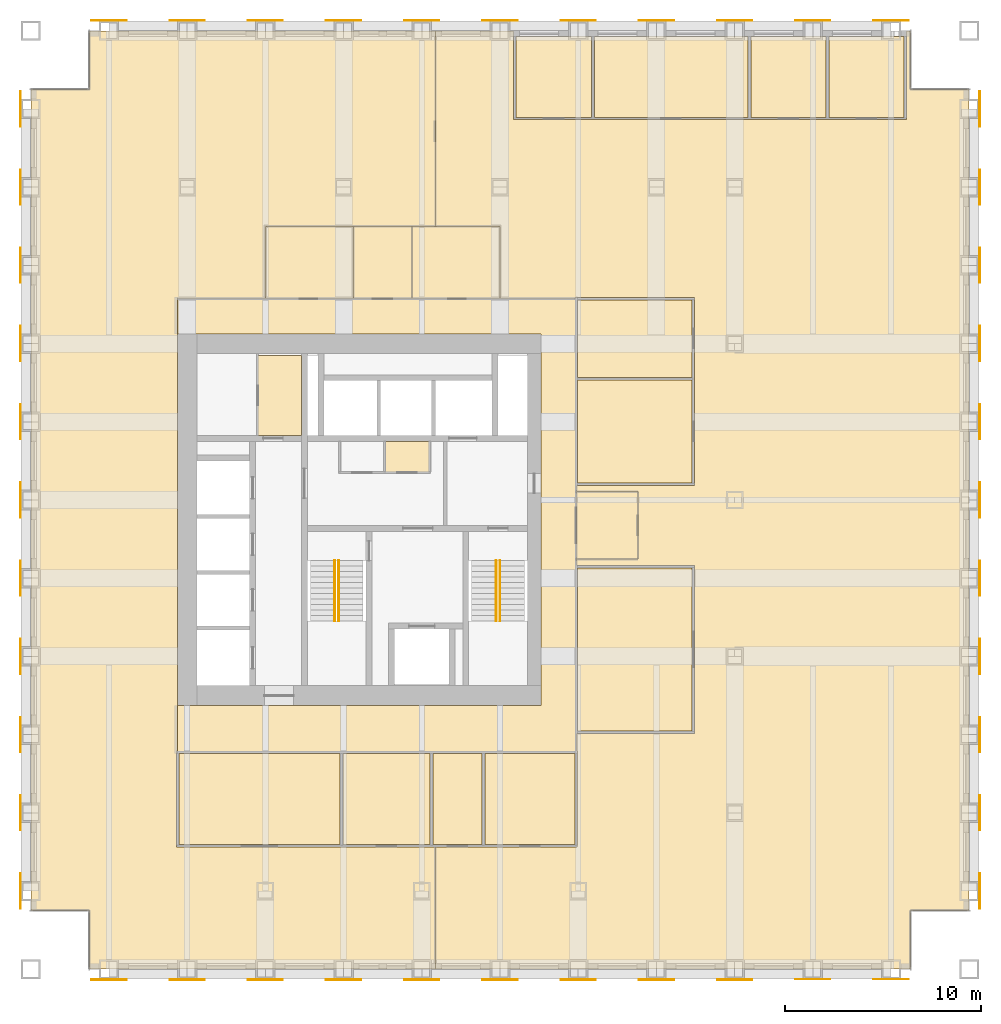
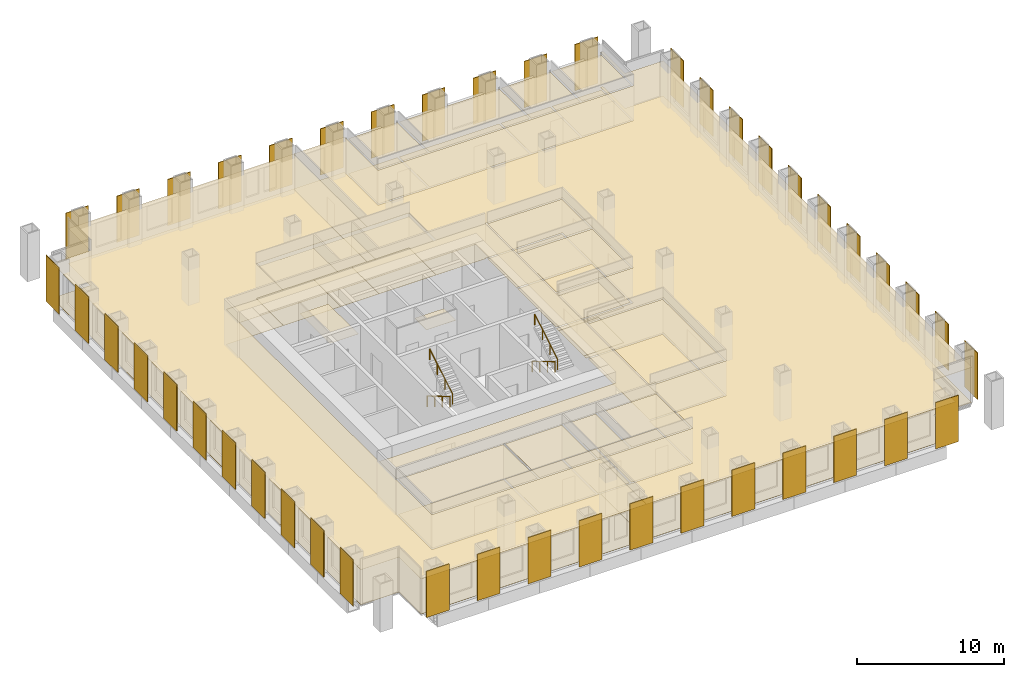
# One storey, part 15 of 15: 44 shading devices, 37 coverings, 4 railings.
"""IFC4 building model written with IfcOpenShell, lengths in metres."""

from ifc_helpers import new_model, si_unit, direction, frame, origin, origin_2d, place, context, subcontext, project, spatial, polyline, rectangle, circle, outline, extrude, material, layer, layer_set, type_object, element, save


model = new_model("IFC4")

# Units and contexts
model_context = context("Model", 3, precision=1e-05, world=origin(), true_north=direction((0.0, 1.0)))
body_context = subcontext(model_context, "Body", "Model", "MODEL_VIEW")
ifc_project = project(units=[si_unit("LENGTHUNIT", "METRE"), si_unit("AREAUNIT", "SQUARE_METRE"), si_unit("VOLUMEUNIT", "CUBIC_METRE"), si_unit("PLANEANGLEUNIT", "RADIAN"), si_unit("MASSUNIT", "GRAM", prefix="KILO")], contexts=[model_context])

# Site, building, storey
site_placement = place(None, origin())
site = spatial("IfcSite", under=ifc_project, at=site_placement, CompositionType="ELEMENT")
building_placement = place(site_placement, origin())
building = spatial("IfcBuilding", under=site, at=building_placement, Name="Rimbunsela Tower", CompositionType="ELEMENT")
storey_placement = place(building_placement, frame((0.0, 0.0, 117.39990234375)))
storey = spatial("IfcBuildingStorey", under=building, at=storey_placement, Name="L28", CompositionType="ELEMENT", Elevation=117.39990234375)

# Coverings
ifc_material_1 = material(Name="Nylon carpet tile", Category="textile")
ifc_layer_1 = layer(ifc_material_1, 0.010009765625)
ifc_layer_set_1 = layer_set([ifc_layer_1], Name="Carpet tile 10")
covering_type_1 = type_object("IfcCoveringType", Name="Carpet tile 10", PredefinedType="FLOORING", material=ifc_layer_set_1)
covering_1_placement = place(storey_placement, origin())
element("IfcCovering", 1, at=covering_1_placement, inside=storey, type_object=covering_type_1, Name="Floor finish Open office", PredefinedType="FLOORING", context=body_context, shape_type="SweptSolid", body=[
    extrude(outline(polyline([(17.5, 4.0), (13.0, 4.0), (13.0, 7.0), (10.0, 7.0), (10.0, 49.0), (13.0, 49.0), (13.0, 52.0), (17.5, 52.0), (30.699951171875, 52.0), (30.699951171875, 42.0), (22.0, 42.0), (22.0, 38.300048828125), (17.5, 38.300048828125), (17.5, 36.5), (17.5, 17.5), (17.5, 15.14990234375), (17.449951171875, 15.14990234375), (17.449951171875, 10.25), (17.5, 10.25), (25.85009765625, 10.25), (25.949951171875, 10.25), (30.449951171875, 10.25), (30.550048828125, 10.25), (30.699951171875, 10.25), (30.699951171875, 4.0), (17.5, 4.0)])), origin(), (0.0, 0.0, 1.0), 0.010009765625),
])
covering_2_placement = place(storey_placement, origin())
element("IfcCovering", 2, at=covering_2_placement, inside=storey, type_object=covering_type_1, Name="Floor finish Open office", PredefinedType="FLOORING", context=body_context, shape_type="SweptSolid", body=[
    extrude(outline(polyline([(30.699951171875, 52.0), (34.699951171875, 52.0), (34.699951171875, 47.449951171875), (37.89990234375, 47.449951171875), (38.699951171875, 47.449951171875), (38.800048828125, 47.449951171875), (46.699951171875, 47.449951171875), (46.800048828125, 47.449951171875), (50.699951171875, 47.449951171875), (50.800048828125, 47.449951171875), (54.800048828125, 47.449951171875), (54.800048828125, 52.0), (55.0, 52.0), (55.0, 49.0), (58.0, 49.0), (58.0, 7.0), (55.0, 7.0), (55.0, 4.0), (37.89990234375, 4.0), (30.699951171875, 4.0), (30.699951171875, 10.25), (33.10009765625, 10.25), (33.199951171875, 10.25), (37.89990234375, 10.25), (37.949951171875, 10.25), (37.949951171875, 15.14990234375), (37.89990234375, 15.14990234375), (37.89990234375, 16.050048828125), (43.949951171875, 16.050048828125), (43.949951171875, 24.64990234375), (37.89990234375, 24.64990234375), (37.89990234375, 24.97509765625), (41.050048828125, 24.97509765625), (41.050048828125, 28.425048828125), (37.89990234375, 28.425048828125), (37.89990234375, 28.75), (43.949951171875, 28.75), (43.949951171875, 34.14990234375), (43.949951171875, 34.25), (43.949951171875, 38.35009765625), (37.89990234375, 38.35009765625), (37.85009765625, 38.35009765625), (37.85009765625, 38.300048828125), (34.0, 38.300048828125), (34.0, 42.0), (30.699951171875, 42.0), (30.699951171875, 52.0)])), origin(), (0.0, 0.0, 1.0), 0.010009765625),
])
covering_3_placement = place(storey_placement, origin())
element("IfcCovering", 3, at=covering_3_placement, inside=storey, type_object=covering_type_1, Name="Floor finish Reception", PredefinedType="FLOORING", context=body_context, shape_type="SweptSolid", body=[
    extrude(outline(polyline([(41.050048828125, 24.97509765625), (41.050048828125, 28.425048828125), (37.89990234375, 28.425048828125), (37.89990234375, 24.97509765625), (41.050048828125, 24.97509765625)])), origin(), (0.0, 0.0, 1.0), 0.010009765625),
])
covering_4_placement = place(storey_placement, origin())
element("IfcCovering", 4, at=covering_4_placement, inside=storey, type_object=covering_type_1, Name="Floor finish Executive office", PredefinedType="FLOORING", context=body_context, shape_type="SweptSolid", body=[
    extrude(outline(polyline([(38.675048828125, 47.574951171875), (38.675048828125, 51.699951171875), (34.824951171875, 51.699951171875), (34.824951171875, 47.574951171875), (38.675048828125, 47.574951171875)])), origin(), (0.0, 0.0, 1.0), 0.010009765625),
])
covering_5_placement = place(storey_placement, origin())
element("IfcCovering", 5, at=covering_5_placement, inside=storey, type_object=covering_type_1, Name="Floor finish Executive office", PredefinedType="FLOORING", context=body_context, shape_type="SweptSolid", body=[
    extrude(outline(polyline([(46.675048828125, 47.574951171875), (46.675048828125, 51.699951171875), (38.824951171875, 51.699951171875), (38.824951171875, 47.574951171875), (46.675048828125, 47.574951171875)])), origin(), (0.0, 0.0, 1.0), 0.010009765625),
])
covering_6_placement = place(storey_placement, origin())
element("IfcCovering", 6, at=covering_6_placement, inside=storey, type_object=covering_type_1, Name="Floor finish Executive office", PredefinedType="FLOORING", context=body_context, shape_type="SweptSolid", body=[
    extrude(outline(polyline([(50.675048828125, 47.574951171875), (50.675048828125, 51.699951171875), (46.824951171875, 51.699951171875), (46.824951171875, 47.574951171875), (50.675048828125, 47.574951171875)])), origin(), (0.0, 0.0, 1.0), 0.010009765625),
])
covering_7_placement = place(storey_placement, origin())
element("IfcCovering", 7, at=covering_7_placement, inside=storey, type_object=covering_type_1, Name="Floor finish Executive office", PredefinedType="FLOORING", context=body_context, shape_type="SweptSolid", body=[
    extrude(outline(polyline([(54.675048828125, 47.574951171875), (54.675048828125, 51.699951171875), (50.824951171875, 51.699951171875), (50.824951171875, 47.574951171875), (54.675048828125, 47.574951171875)])), origin(), (0.0, 0.0, 1.0), 0.010009765625),
])
covering_8_placement = place(storey_placement, origin())
element("IfcCovering", 8, at=covering_8_placement, inside=storey, type_object=covering_type_1, Name="Floor finish Training room", PredefinedType="FLOORING", context=body_context, shape_type="SweptSolid", body=[
    extrude(outline(polyline([(25.824951171875, 10.375), (25.824951171875, 15.02490234375), (17.574951171875, 15.02490234375), (17.574951171875, 10.375), (25.824951171875, 10.375)])), origin(), (0.0, 0.0, 1.0), 0.010009765625),
])
covering_9_placement = place(storey_placement, origin())
element("IfcCovering", 9, at=covering_9_placement, inside=storey, type_object=covering_type_1, Name="Floor finish Pantry", PredefinedType="FLOORING", context=body_context, shape_type="SweptSolid", body=[
    extrude(outline(polyline([(30.425048828125, 10.375), (30.425048828125, 15.02490234375), (25.97509765625, 15.02490234375), (25.97509765625, 10.375), (30.425048828125, 10.375)])), origin(), (0.0, 0.0, 1.0), 0.010009765625),
])
covering_10_placement = place(storey_placement, origin())
element("IfcCovering", 10, at=covering_10_placement, inside=storey, type_object=covering_type_1, Name="Floor finish Print and copy room", PredefinedType="FLOORING", context=body_context, shape_type="SweptSolid", body=[
    extrude(outline(polyline([(33.074951171875, 10.375), (33.074951171875, 15.02490234375), (30.574951171875, 15.02490234375), (30.574951171875, 10.375), (33.074951171875, 10.375)])), origin(), (0.0, 0.0, 1.0), 0.010009765625),
])
covering_11_placement = place(storey_placement, origin())
element("IfcCovering", 11, at=covering_11_placement, inside=storey, type_object=covering_type_1, Name="Floor finish Office", PredefinedType="FLOORING", context=body_context, shape_type="SweptSolid", body=[
    extrude(outline(polyline([(37.824951171875, 10.375), (37.824951171875, 15.02490234375), (33.22509765625, 15.02490234375), (33.22509765625, 10.375), (37.824951171875, 10.375)])), origin(), (0.0, 0.0, 1.0), 0.010009765625),
])
covering_12_placement = place(storey_placement, origin())
element("IfcCovering", 12, at=covering_12_placement, inside=storey, type_object=covering_type_1, Name="Floor finish Boardroom", PredefinedType="FLOORING", context=body_context, shape_type="SweptSolid", body=[
    extrude(outline(polyline([(43.824951171875, 16.175048828125), (43.824951171875, 24.52490234375), (37.97509765625, 24.52490234375), (37.97509765625, 16.175048828125), (43.824951171875, 16.175048828125)])), origin(), (0.0, 0.0, 1.0), 0.010009765625),
])
covering_13_placement = place(storey_placement, origin())
element("IfcCovering", 13, at=covering_13_placement, inside=storey, type_object=covering_type_1, Name="Floor finish Meeting room", PredefinedType="FLOORING", context=body_context, shape_type="SweptSolid", body=[
    extrude(outline(polyline([(43.824951171875, 28.875), (43.824951171875, 34.125), (37.97509765625, 34.125), (37.97509765625, 28.875), (43.824951171875, 28.875)])), origin(), (0.0, 0.0, 1.0), 0.010009765625),
])
covering_14_placement = place(storey_placement, origin())
element("IfcCovering", 14, at=covering_14_placement, inside=storey, type_object=covering_type_1, Name="Floor finish Office", PredefinedType="FLOORING", context=body_context, shape_type="SweptSolid", body=[
    extrude(outline(polyline([(43.824951171875, 34.27490234375), (43.824951171875, 38.22509765625), (37.97509765625, 38.22509765625), (37.97509765625, 34.27490234375), (43.824951171875, 34.27490234375)])), origin(), (0.0, 0.0, 1.0), 0.010009765625),
])
ifc_material_2 = material(Name="Mineral fibre ceiling tile", Category="gypsum")
ifc_layer_2 = layer(ifc_material_2, 0.02001953125)
ifc_layer_set_2 = layer_set([ifc_layer_2], Name="Ceiling 600 grid")
covering_type_2 = type_object("IfcCoveringType", Name="Ceiling 600 grid", PredefinedType="CEILING", material=ifc_layer_set_2)
covering_15_placement = place(storey_placement, frame((0.0, 0.0, 2.900146484375)))
element("IfcCovering", 15, at=covering_15_placement, inside=storey, type_object=covering_type_2, Name="Ceiling IT room", PredefinedType="CEILING", context=body_context, shape_type="SweptSolid", body=[
    extrude(outline(polyline([(30.39990234375, 29.39990234375), (30.39990234375, 31.0), (28.10009765625, 31.0), (28.10009765625, 29.39990234375), (30.39990234375, 29.39990234375)])), origin(), (0.0, 0.0, 1.0), 0.02001953125),
])
covering_16_placement = place(storey_placement, frame((0.0, 0.0, 2.900146484375)))
element("IfcCovering", 16, at=covering_16_placement, inside=storey, type_object=covering_type_2, Name="Ceiling Staff pantry", PredefinedType="CEILING", context=body_context, shape_type="SweptSolid", body=[
    extrude(outline(polyline([(23.85009765625, 31.300048828125), (23.85009765625, 35.39990234375), (21.60009765625, 35.39990234375), (21.60009765625, 31.300048828125), (23.85009765625, 31.300048828125)])), origin(), (0.0, 0.0, 1.0), 0.02001953125),
])
covering_17_placement = place(storey_placement, frame((0.0, 0.0, 2.900146484375)))
element("IfcCovering", 17, at=covering_17_placement, inside=storey, type_object=covering_type_2, Name="Ceiling U-shaped corridor", PredefinedType="CEILING", context=body_context, shape_type="SweptSolid", body=[
    extrude(outline(polyline([(37.89990234375, 38.300048828125), (37.89990234375, 15.10009765625), (17.5, 15.10009765625), (17.5, 17.5), (36.10009765625, 17.5), (36.10009765625, 36.5), (17.5, 36.5), (17.5, 38.300048828125), (37.89990234375, 38.300048828125)])), origin(), (0.0, 0.0, 1.0), 0.02001953125),
])
covering_18_placement = place(storey_placement, frame((0.0, 0.0, 2.900146484375)))
element("IfcCovering", 18, at=covering_18_placement, inside=storey, type_object=covering_type_2, Name="Ceiling Open office", PredefinedType="CEILING", context=body_context, shape_type="SweptSolid", body=[
    extrude(outline(polyline([(17.5, 4.0), (13.0, 4.0), (13.0, 7.0), (10.0, 7.0), (10.0, 49.0), (13.0, 49.0), (13.0, 52.0), (17.5, 52.0), (30.699951171875, 52.0), (30.699951171875, 42.0), (22.0, 42.0), (22.0, 38.300048828125), (17.5, 38.300048828125), (17.5, 36.5), (17.5, 17.5), (17.5, 15.14990234375), (17.449951171875, 15.14990234375), (17.449951171875, 10.25), (17.5, 10.25), (25.85009765625, 10.25), (25.949951171875, 10.25), (30.449951171875, 10.25), (30.550048828125, 10.25), (30.699951171875, 10.25), (30.699951171875, 4.0), (17.5, 4.0)])), origin(), (0.0, 0.0, 1.0), 0.02001953125),
])
covering_19_placement = place(storey_placement, frame((0.0, 0.0, 2.900146484375)))
element("IfcCovering", 19, at=covering_19_placement, inside=storey, type_object=covering_type_2, Name="Ceiling Open office", PredefinedType="CEILING", context=body_context, shape_type="SweptSolid", body=[
    extrude(outline(polyline([(30.699951171875, 52.0), (34.699951171875, 52.0), (34.699951171875, 47.449951171875), (37.89990234375, 47.449951171875), (38.699951171875, 47.449951171875), (38.800048828125, 47.449951171875), (46.699951171875, 47.449951171875), (46.800048828125, 47.449951171875), (50.699951171875, 47.449951171875), (50.800048828125, 47.449951171875), (54.800048828125, 47.449951171875), (54.800048828125, 52.0), (55.0, 52.0), (55.0, 49.0), (58.0, 49.0), (58.0, 7.0), (55.0, 7.0), (55.0, 4.0), (37.89990234375, 4.0), (30.699951171875, 4.0), (30.699951171875, 10.25), (33.10009765625, 10.25), (33.199951171875, 10.25), (37.89990234375, 10.25), (37.949951171875, 10.25), (37.949951171875, 15.14990234375), (37.89990234375, 15.14990234375), (37.89990234375, 16.050048828125), (43.949951171875, 16.050048828125), (43.949951171875, 24.64990234375), (37.89990234375, 24.64990234375), (37.89990234375, 24.97509765625), (41.050048828125, 24.97509765625), (41.050048828125, 28.425048828125), (37.89990234375, 28.425048828125), (37.89990234375, 28.75), (43.949951171875, 28.75), (43.949951171875, 34.14990234375), (43.949951171875, 34.25), (43.949951171875, 38.35009765625), (37.89990234375, 38.35009765625), (37.85009765625, 38.35009765625), (37.85009765625, 38.300048828125), (34.0, 38.300048828125), (34.0, 42.0), (30.699951171875, 42.0), (30.699951171875, 52.0)])), origin(), (0.0, 0.0, 1.0), 0.02001953125),
])
covering_20_placement = place(storey_placement, frame((0.0, 0.0, 2.900146484375)))
element("IfcCovering", 20, at=covering_20_placement, inside=storey, type_object=covering_type_2, Name="Ceiling Reception", PredefinedType="CEILING", context=body_context, shape_type="SweptSolid", body=[
    extrude(outline(polyline([(41.050048828125, 24.97509765625), (41.050048828125, 28.425048828125), (37.89990234375, 28.425048828125), (37.89990234375, 24.97509765625), (41.050048828125, 24.97509765625)])), origin(), (0.0, 0.0, 1.0), 0.02001953125),
])
covering_21_placement = place(storey_placement, frame((0.0, 0.0, 2.900146484375)))
element("IfcCovering", 21, at=covering_21_placement, inside=storey, type_object=covering_type_2, Name="Ceiling Executive office", PredefinedType="CEILING", context=body_context, shape_type="SweptSolid", body=[
    extrude(outline(polyline([(38.675048828125, 47.574951171875), (38.675048828125, 51.699951171875), (34.824951171875, 51.699951171875), (34.824951171875, 47.574951171875), (38.675048828125, 47.574951171875)])), origin(), (0.0, 0.0, 1.0), 0.02001953125),
])
covering_22_placement = place(storey_placement, frame((0.0, 0.0, 2.900146484375)))
element("IfcCovering", 22, at=covering_22_placement, inside=storey, type_object=covering_type_2, Name="Ceiling Executive office", PredefinedType="CEILING", context=body_context, shape_type="SweptSolid", body=[
    extrude(outline(polyline([(46.675048828125, 47.574951171875), (46.675048828125, 51.699951171875), (38.824951171875, 51.699951171875), (38.824951171875, 47.574951171875), (46.675048828125, 47.574951171875)])), origin(), (0.0, 0.0, 1.0), 0.02001953125),
])
covering_23_placement = place(storey_placement, frame((0.0, 0.0, 2.900146484375)))
element("IfcCovering", 23, at=covering_23_placement, inside=storey, type_object=covering_type_2, Name="Ceiling Executive office", PredefinedType="CEILING", context=body_context, shape_type="SweptSolid", body=[
    extrude(outline(polyline([(50.675048828125, 47.574951171875), (50.675048828125, 51.699951171875), (46.824951171875, 51.699951171875), (46.824951171875, 47.574951171875), (50.675048828125, 47.574951171875)])), origin(), (0.0, 0.0, 1.0), 0.02001953125),
])
covering_24_placement = place(storey_placement, frame((0.0, 0.0, 2.900146484375)))
element("IfcCovering", 24, at=covering_24_placement, inside=storey, type_object=covering_type_2, Name="Ceiling Executive office", PredefinedType="CEILING", context=body_context, shape_type="SweptSolid", body=[
    extrude(outline(polyline([(54.675048828125, 47.574951171875), (54.675048828125, 51.699951171875), (50.824951171875, 51.699951171875), (50.824951171875, 47.574951171875), (54.675048828125, 47.574951171875)])), origin(), (0.0, 0.0, 1.0), 0.02001953125),
])
covering_25_placement = place(storey_placement, frame((0.0, 0.0, 2.900146484375)))
element("IfcCovering", 25, at=covering_25_placement, inside=storey, type_object=covering_type_2, Name="Ceiling Training room", PredefinedType="CEILING", context=body_context, shape_type="SweptSolid", body=[
    extrude(outline(polyline([(25.824951171875, 10.375), (25.824951171875, 15.02490234375), (17.574951171875, 15.02490234375), (17.574951171875, 10.375), (25.824951171875, 10.375)])), origin(), (0.0, 0.0, 1.0), 0.02001953125),
])
covering_26_placement = place(storey_placement, frame((0.0, 0.0, 2.900146484375)))
element("IfcCovering", 26, at=covering_26_placement, inside=storey, type_object=covering_type_2, Name="Ceiling Pantry", PredefinedType="CEILING", context=body_context, shape_type="SweptSolid", body=[
    extrude(outline(polyline([(30.425048828125, 10.375), (30.425048828125, 15.02490234375), (25.97509765625, 15.02490234375), (25.97509765625, 10.375), (30.425048828125, 10.375)])), origin(), (0.0, 0.0, 1.0), 0.02001953125),
])
covering_27_placement = place(storey_placement, frame((0.0, 0.0, 2.900146484375)))
element("IfcCovering", 27, at=covering_27_placement, inside=storey, type_object=covering_type_2, Name="Ceiling Print and copy room", PredefinedType="CEILING", context=body_context, shape_type="SweptSolid", body=[
    extrude(outline(polyline([(33.074951171875, 10.375), (33.074951171875, 15.02490234375), (30.574951171875, 15.02490234375), (30.574951171875, 10.375), (33.074951171875, 10.375)])), origin(), (0.0, 0.0, 1.0), 0.02001953125),
])
covering_28_placement = place(storey_placement, frame((0.0, 0.0, 2.900146484375)))
element("IfcCovering", 28, at=covering_28_placement, inside=storey, type_object=covering_type_2, Name="Ceiling Office", PredefinedType="CEILING", context=body_context, shape_type="SweptSolid", body=[
    extrude(outline(polyline([(37.824951171875, 10.375), (37.824951171875, 15.02490234375), (33.22509765625, 15.02490234375), (33.22509765625, 10.375), (37.824951171875, 10.375)])), origin(), (0.0, 0.0, 1.0), 0.02001953125),
])
covering_29_placement = place(storey_placement, frame((0.0, 0.0, 2.900146484375)))
element("IfcCovering", 29, at=covering_29_placement, inside=storey, type_object=covering_type_2, Name="Ceiling Boardroom", PredefinedType="CEILING", context=body_context, shape_type="SweptSolid", body=[
    extrude(outline(polyline([(43.824951171875, 16.175048828125), (43.824951171875, 24.52490234375), (37.97509765625, 24.52490234375), (37.97509765625, 16.175048828125), (43.824951171875, 16.175048828125)])), origin(), (0.0, 0.0, 1.0), 0.02001953125),
])
covering_30_placement = place(storey_placement, frame((0.0, 0.0, 2.900146484375)))
element("IfcCovering", 30, at=covering_30_placement, inside=storey, type_object=covering_type_2, Name="Ceiling Meeting room", PredefinedType="CEILING", context=body_context, shape_type="SweptSolid", body=[
    extrude(outline(polyline([(43.824951171875, 28.875), (43.824951171875, 34.125), (37.97509765625, 34.125), (37.97509765625, 28.875), (43.824951171875, 28.875)])), origin(), (0.0, 0.0, 1.0), 0.02001953125),
])
covering_31_placement = place(storey_placement, frame((0.0, 0.0, 2.900146484375)))
element("IfcCovering", 31, at=covering_31_placement, inside=storey, type_object=covering_type_2, Name="Ceiling Office", PredefinedType="CEILING", context=body_context, shape_type="SweptSolid", body=[
    extrude(outline(polyline([(43.824951171875, 34.27490234375), (43.824951171875, 38.22509765625), (37.97509765625, 38.22509765625), (37.97509765625, 34.27490234375), (43.824951171875, 34.27490234375)])), origin(), (0.0, 0.0, 1.0), 0.02001953125),
])
ifc_material_3 = material(Name="Moisture-resistant plasterboard ceiling", Category="gypsum")
ifc_layer_3 = layer(ifc_material_3, 0.012451171875)
ifc_layer_set_3 = layer_set([ifc_layer_3], Name="Ceiling moisture-resistant board")
covering_type_3 = type_object("IfcCoveringType", Name="Ceiling moisture-resistant board", PredefinedType="CEILING", material=ifc_layer_set_3)
covering_32_placement = place(storey_placement, frame((0.0, 0.0, 2.60009765625)))
element("IfcCovering", 32, at=covering_32_placement, inside=storey, type_object=covering_type_3, Name="Ceiling Female WC", PredefinedType="CEILING", context=body_context, shape_type="SweptSolid", body=[
    extrude(outline(polyline([(26.5, 38.300048828125), (26.5, 42.0), (22.0, 42.0), (22.0, 38.300048828125), (26.5, 38.300048828125)])), origin(), (0.0, 0.0, 1.0), 0.02001953125),
])
covering_33_placement = place(storey_placement, frame((0.0, 0.0, 2.60009765625)))
element("IfcCovering", 33, at=covering_33_placement, inside=storey, type_object=covering_type_3, Name="Ceiling Accessible WC", PredefinedType="CEILING", context=body_context, shape_type="SweptSolid", body=[
    extrude(outline(polyline([(29.5, 38.300048828125), (29.5, 42.0), (26.5, 42.0), (26.5, 38.300048828125), (29.5, 38.300048828125)])), origin(), (0.0, 0.0, 1.0), 0.02001953125),
])
covering_34_placement = place(storey_placement, frame((0.0, 0.0, 2.60009765625)))
element("IfcCovering", 34, at=covering_34_placement, inside=storey, type_object=covering_type_3, Name="Ceiling Male WC", PredefinedType="CEILING", context=body_context, shape_type="SweptSolid", body=[
    extrude(outline(polyline([(34.0, 38.300048828125), (34.0, 42.0), (29.5, 42.0), (29.5, 38.300048828125), (34.0, 38.300048828125)])), origin(), (0.0, 0.0, 1.0), 0.02001953125),
])
ifc_material_4 = material(Name="Porcelain floor tile in adhesive bed", Category="ceramic")
ifc_layer_4 = layer(ifc_material_4, 0.02001953125)
ifc_layer_set_4 = layer_set([ifc_layer_4], Name="Porcelain tile 20")
covering_type_4 = type_object("IfcCoveringType", Name="Porcelain tile 20", PredefinedType="FLOORING", material=ifc_layer_set_4)
covering_35_placement = place(storey_placement, origin())
element("IfcCovering", 35, at=covering_35_placement, inside=storey, type_object=covering_type_4, Name="Floor finish Female WC", PredefinedType="FLOORING", context=body_context, shape_type="SweptSolid", body=[
    extrude(outline(polyline([(26.5, 38.300048828125), (26.5, 42.0), (22.0, 42.0), (22.0, 38.300048828125), (26.5, 38.300048828125)])), origin(), (0.0, 0.0, 1.0), 0.02001953125),
])
covering_36_placement = place(storey_placement, origin())
element("IfcCovering", 36, at=covering_36_placement, inside=storey, type_object=covering_type_4, Name="Floor finish Accessible WC", PredefinedType="FLOORING", context=body_context, shape_type="SweptSolid", body=[
    extrude(outline(polyline([(29.5, 38.300048828125), (29.5, 42.0), (26.5, 42.0), (26.5, 38.300048828125), (29.5, 38.300048828125)])), origin(), (0.0, 0.0, 1.0), 0.02001953125),
])
covering_37_placement = place(storey_placement, origin())
element("IfcCovering", 37, at=covering_37_placement, inside=storey, type_object=covering_type_4, Name="Floor finish Male WC", PredefinedType="FLOORING", context=body_context, shape_type="SweptSolid", body=[
    extrude(outline(polyline([(34.0, 38.300048828125), (34.0, 42.0), (29.5, 42.0), (29.5, 38.300048828125), (34.0, 38.300048828125)])), origin(), (0.0, 0.0, 1.0), 0.02001953125),
])

# Shading devices
ifc_material_5 = material(Name="Perforated aluminium, 35 % open area", Category="aluminium")
ifc_layer_5 = layer(ifc_material_5, 0.050048828125)
ifc_layer_set_5 = layer_set([ifc_layer_5], Name="Solar screen panel 1800")
shading_device_type = type_object("IfcShadingDeviceType", Name="Solar screen panel 1800", PredefinedType="USERDEFINED", material=ifc_layer_set_5)
for number, where, z_axis, x_axis, name in (
    (38, (14.0, 3.47509765625, 0.0), (0.0, 0.0, 1.0), (1.0, 0.0, 0.0), "Solar screen S L28"),
    (39, (18.0, 3.47509765625, 0.0), (0.0, 0.0, 1.0), (1.0, 0.0, 0.0), "Solar screen S L28"),
    (40, (22.0, 3.47509765625, 0.0), (0.0, 0.0, 1.0), (1.0, 0.0, 0.0), "Solar screen S L28"),
    (41, (26.0, 3.47509765625, 0.0), (0.0, 0.0, 1.0), (1.0, 0.0, 0.0), "Solar screen S L28"),
    (42, (30.0, 3.47509765625, 0.0), (0.0, 0.0, 1.0), (1.0, 0.0, 0.0), "Solar screen S L28"),
    (43, (34.0, 3.47509765625, 0.0), (0.0, 0.0, 1.0), (1.0, 0.0, 0.0), "Solar screen S L28"),
    (44, (38.0, 3.47509765625, 0.0), (0.0, 0.0, 1.0), (1.0, 0.0, 0.0), "Solar screen S L28"),
    (45, (42.0, 3.47509765625, 0.0), (0.0, 0.0, 1.0), (1.0, 0.0, 0.0), "Solar screen S L28"),
    (46, (46.0, 3.47509765625, 0.0), (0.0, 0.0, 1.0), (1.0, 0.0, 0.0), "Solar screen S L28"),
    (47, (50.0, 3.47509765625, 0.0), (0.0, 0.0, 1.0), (1.0, 0.0, 0.0), "Solar screen S L28"),
    (48, (54.0, 3.47509765625, 0.0), (0.0, 0.0, 1.0), (1.0, 0.0, 0.0), "Solar screen S L28"),
    (49, (58.52490234375, 8.0, 0.0), (0.0, 0.0, 1.0), (0.0, 1.0, 0.0), "Solar screen E L28"),
    (50, (58.52490234375, 12.0, 0.0), (0.0, 0.0, 1.0), (0.0, 1.0, 0.0), "Solar screen E L28"),
    (51, (58.52490234375, 16.0, 0.0), (0.0, 0.0, 1.0), (0.0, 1.0, 0.0), "Solar screen E L28"),
    (52, (58.52490234375, 20.0, 0.0), (0.0, 0.0, 1.0), (0.0, 1.0, 0.0), "Solar screen E L28"),
    (53, (58.52490234375, 24.0, 0.0), (0.0, 0.0, 1.0), (0.0, 1.0, 0.0), "Solar screen E L28"),
    (54, (58.52490234375, 28.0, 0.0), (0.0, 0.0, 1.0), (0.0, 1.0, 0.0), "Solar screen E L28"),
    (55, (58.52490234375, 32.0, 0.0), (0.0, 0.0, 1.0), (0.0, 1.0, 0.0), "Solar screen E L28"),
    (56, (58.52490234375, 36.0, 0.0), (0.0, 0.0, 1.0), (0.0, 1.0, 0.0), "Solar screen E L28"),
    (57, (58.52490234375, 40.0, 0.0), (0.0, 0.0, 1.0), (0.0, 1.0, 0.0), "Solar screen E L28"),
    (58, (58.52490234375, 44.0, 0.0), (0.0, 0.0, 1.0), (0.0, 1.0, 0.0), "Solar screen E L28"),
    (59, (58.52490234375, 48.0, 0.0), (0.0, 0.0, 1.0), (0.0, 1.0, 0.0), "Solar screen E L28"),
    (60, (14.0, 52.52490234375, 0.0), (0.0, 0.0, 1.0), (1.0, 0.0, 0.0), "Solar screen N L28"),
    (61, (18.0, 52.52490234375, 0.0), (0.0, 0.0, 1.0), (1.0, 0.0, 0.0), "Solar screen N L28"),
    (62, (22.0, 52.52490234375, 0.0), (0.0, 0.0, 1.0), (1.0, 0.0, 0.0), "Solar screen N L28"),
    (63, (26.0, 52.52490234375, 0.0), (0.0, 0.0, 1.0), (1.0, 0.0, 0.0), "Solar screen N L28"),
    (64, (30.0, 52.52490234375, 0.0), (0.0, 0.0, 1.0), (1.0, 0.0, 0.0), "Solar screen N L28"),
    (65, (34.0, 52.52490234375, 0.0), (0.0, 0.0, 1.0), (1.0, 0.0, 0.0), "Solar screen N L28"),
    (66, (38.0, 52.52490234375, 0.0), (0.0, 0.0, 1.0), (1.0, 0.0, 0.0), "Solar screen N L28"),
    (67, (42.0, 52.52490234375, 0.0), (0.0, 0.0, 1.0), (1.0, 0.0, 0.0), "Solar screen N L28"),
    (68, (46.0, 52.52490234375, 0.0), (0.0, 0.0, 1.0), (1.0, 0.0, 0.0), "Solar screen N L28"),
    (69, (50.0, 52.52490234375, 0.0), (0.0, 0.0, 1.0), (1.0, 0.0, 0.0), "Solar screen N L28"),
    (70, (54.0, 52.52490234375, 0.0), (0.0, 0.0, 1.0), (1.0, 0.0, 0.0), "Solar screen N L28"),
    (71, (9.47509765625, 8.0, 0.0), (0.0, 0.0, 1.0), (0.0, 1.0, 0.0), "Solar screen W L28"),
    (72, (9.47509765625, 12.0, 0.0), (0.0, 0.0, 1.0), (0.0, 1.0, 0.0), "Solar screen W L28"),
    (73, (9.47509765625, 16.0, 0.0), (0.0, 0.0, 1.0), (0.0, 1.0, 0.0), "Solar screen W L28"),
    (74, (9.47509765625, 20.0, 0.0), (0.0, 0.0, 1.0), (0.0, 1.0, 0.0), "Solar screen W L28"),
    (75, (9.47509765625, 24.0, 0.0), (0.0, 0.0, 1.0), (0.0, 1.0, 0.0), "Solar screen W L28"),
    (76, (9.47509765625, 28.0, 0.0), (0.0, 0.0, 1.0), (0.0, 1.0, 0.0), "Solar screen W L28"),
    (77, (9.47509765625, 32.0, 0.0), (0.0, 0.0, 1.0), (0.0, 1.0, 0.0), "Solar screen W L28"),
    (78, (9.47509765625, 36.0, 0.0), (0.0, 0.0, 1.0), (0.0, 1.0, 0.0), "Solar screen W L28"),
    (79, (9.47509765625, 40.0, 0.0), (0.0, 0.0, 1.0), (0.0, 1.0, 0.0), "Solar screen W L28"),
    (80, (9.47509765625, 44.0, 0.0), (0.0, 0.0, 1.0), (0.0, 1.0, 0.0), "Solar screen W L28"),
    (81, (9.47509765625, 48.0, 0.0), (0.0, 0.0, 1.0), (0.0, 1.0, 0.0), "Solar screen W L28"),
):
    element("IfcShadingDevice", number, at=place(storey_placement, frame(where, z_axis=z_axis, x_axis=x_axis)), inside=storey, type_object=shading_device_type, Name=name, ObjectType="SCREEN", PredefinedType="USERDEFINED", context=body_context, shape_type="SweptSolid", body=[
        extrude(rectangle(XDim=1.800048828125, YDim=0.050048828125, at=origin_2d()), origin(), (0.0, 0.0, 1.0), 3.85009765625),
    ])

# Railings
ifc_material_6 = material(Name="Stainless steel tube", Category="steel")
railing_type = type_object("IfcRailingType", Name="Stair handrail 900", PredefinedType="HANDRAIL", material=ifc_material_6)
railing_1_placement = place(storey_placement, frame((25.550048828125, 24.89990234375, 0.166748046875)))
element("IfcRailing", 82, at=railing_1_placement, inside=storey, type_object=railing_type, Name="Handrail ST-A flight 1", PredefinedType="HANDRAIL", context=body_context, shape_type="SweptSolid", body=[
    extrude(circle(Radius=0.02392578125, at=origin_2d()), frame((0.0, 0.0, 0.8759765625), z_axis=(0.0, -0.859290745958, 0.51148745235), x_axis=(1.0, 0.0, 0.0)), (0.0, 0.0, 1.0), 3.584228515625),
    extrude(circle(Radius=0.02099609375, at=origin_2d()), origin(), (0.0, 0.0, 1.0), 0.851806640625),
    extrude(circle(Radius=0.02099609375, at=origin_2d()), frame((0.0, -1.026611328125, 0.611083984375)), (0.0, 0.0, 1.0), 0.851806640625),
    extrude(circle(Radius=0.02099609375, at=origin_2d()), frame((0.0, -2.05322265625, 1.22216796875)), (0.0, 0.0, 1.0), 0.851806640625),
    extrude(circle(Radius=0.02099609375, at=origin_2d()), frame((0.0, -3.079833984375, 1.833251953125)), (0.0, 0.0, 1.0), 0.851806640625),
])
railing_2_placement = place(storey_placement, frame((25.75, 21.820068359375, 2.166748046875)))
element("IfcRailing", 83, at=railing_2_placement, inside=storey, type_object=railing_type, Name="Handrail ST-A flight 2", PredefinedType="HANDRAIL", context=body_context, shape_type="SweptSolid", body=[
    extrude(circle(Radius=0.02392578125, at=origin_2d()), frame((0.0, 0.0, 0.8759765625), z_axis=(0.0, 0.859290745958, 0.51148745235), x_axis=(-1.0, 0.0, 0.0)), (0.0, 0.0, 1.0), 3.584228515625),
    extrude(circle(Radius=0.02099609375, at=origin_2d()), origin(), (0.0, 0.0, 1.0), 0.851806640625),
    extrude(circle(Radius=0.02099609375, at=origin_2d()), frame((0.0, 1.026611328125, 0.611083984375)), (0.0, 0.0, 1.0), 0.851806640625),
    extrude(circle(Radius=0.02099609375, at=origin_2d()), frame((0.0, 2.05322265625, 1.22216796875)), (0.0, 0.0, 1.0), 0.851806640625),
    extrude(circle(Radius=0.02099609375, at=origin_2d()), frame((0.0, 3.079833984375, 1.833251953125)), (0.0, 0.0, 1.0), 0.851806640625),
])
railing_3_placement = place(storey_placement, frame((33.800048828125, 24.89990234375, 0.166748046875)))
element("IfcRailing", 84, at=railing_3_placement, inside=storey, type_object=railing_type, Name="Handrail ST-B flight 1", PredefinedType="HANDRAIL", context=body_context, shape_type="SweptSolid", body=[
    extrude(circle(Radius=0.02392578125, at=origin_2d()), frame((0.0, 0.0, 0.8759765625), z_axis=(0.0, -0.859290745958, 0.51148745235), x_axis=(1.0, 0.0, 0.0)), (0.0, 0.0, 1.0), 3.584228515625),
    extrude(circle(Radius=0.02099609375, at=origin_2d()), origin(), (0.0, 0.0, 1.0), 0.851806640625),
    extrude(circle(Radius=0.02099609375, at=origin_2d()), frame((0.0, -1.026611328125, 0.611083984375)), (0.0, 0.0, 1.0), 0.851806640625),
    extrude(circle(Radius=0.02099609375, at=origin_2d()), frame((0.0, -2.05322265625, 1.22216796875)), (0.0, 0.0, 1.0), 0.851806640625),
    extrude(circle(Radius=0.02099609375, at=origin_2d()), frame((0.0, -3.079833984375, 1.833251953125)), (0.0, 0.0, 1.0), 0.851806640625),
])
railing_4_placement = place(storey_placement, frame((34.0, 21.820068359375, 2.166748046875)))
element("IfcRailing", 85, at=railing_4_placement, inside=storey, type_object=railing_type, Name="Handrail ST-B flight 2", PredefinedType="HANDRAIL", context=body_context, shape_type="SweptSolid", body=[
    extrude(circle(Radius=0.02392578125, at=origin_2d()), frame((0.0, 0.0, 0.8759765625), z_axis=(0.0, 0.859290745958, 0.51148745235), x_axis=(-1.0, 0.0, 0.0)), (0.0, 0.0, 1.0), 3.584228515625),
    extrude(circle(Radius=0.02099609375, at=origin_2d()), origin(), (0.0, 0.0, 1.0), 0.851806640625),
    extrude(circle(Radius=0.02099609375, at=origin_2d()), frame((0.0, 1.026611328125, 0.611083984375)), (0.0, 0.0, 1.0), 0.851806640625),
    extrude(circle(Radius=0.02099609375, at=origin_2d()), frame((0.0, 2.05322265625, 1.22216796875)), (0.0, 0.0, 1.0), 0.851806640625),
    extrude(circle(Radius=0.02099609375, at=origin_2d()), frame((0.0, 3.079833984375, 1.833251953125)), (0.0, 0.0, 1.0), 0.851806640625),
])

save(model, "model.ifc")
